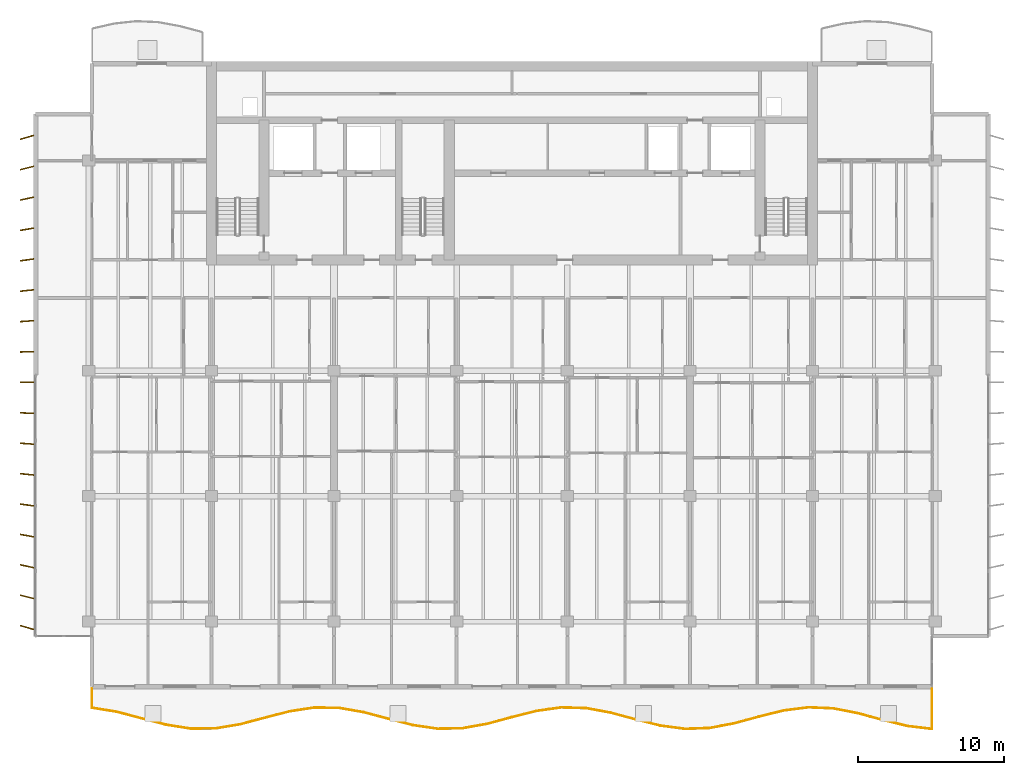
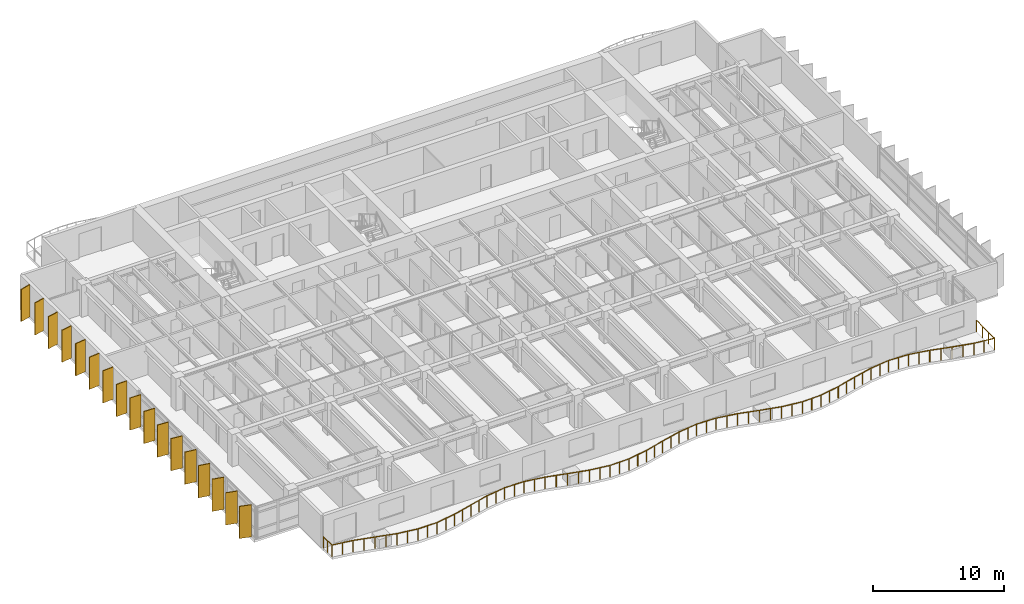
# One storey, part 16 of 19: 17 shading devices, 1 railing.
"""IFC4 building model written with IfcOpenShell, lengths in metres."""

from ifc_helpers import new_model, si_unit, direction, frame, origin, origin_2d, place, context, subcontext, project, spatial, rectangle, circle, extrude, material, material_profile, profile_set, type_object, element, save


model = new_model("IFC4")

# Units and contexts
model_context = context("Model", 3, precision=1e-05, world=origin(), true_north=direction((0.0, 1.0)))
body_context = subcontext(model_context, "Body", "Model", "MODEL_VIEW")
ifc_project = project(units=[si_unit("LENGTHUNIT", "METRE"), si_unit("AREAUNIT", "SQUARE_METRE"), si_unit("VOLUMEUNIT", "CUBIC_METRE"), si_unit("PLANEANGLEUNIT", "RADIAN"), si_unit("MASSUNIT", "GRAM", prefix="KILO")], contexts=[model_context])

# Site, building, storey
site_placement = place(None, origin())
site = spatial("IfcSite", under=ifc_project, at=site_placement, CompositionType="ELEMENT")
building_placement = place(site_placement, origin())
building = spatial("IfcBuilding", under=site, at=building_placement, Name="Caelmar Bay Residences", CompositionType="ELEMENT")
storey_placement = place(building_placement, frame((0.0, 0.0, 218.10009765625)))
storey = spatial("IfcBuildingStorey", under=building, at=storey_placement, Name="L61", CompositionType="ELEMENT", Elevation=218.10009765625)

# Railing
ifc_material_1 = material(Name="Anodised bronze handrail with laminated hurricane glass infill", Category="glass")
railing_type = type_object("IfcRailingType", Name="RL-BAL-1100", PredefinedType="BALUSTRADE", material=ifc_material_1)
railing_placement = place(storey_placement, frame((10.10009765625, 7.60009765625, 0.0)))
element("IfcRailing", 1, at=railing_placement, inside=storey, type_object=railing_type, Name="L61 south Balcony Balustrade", PredefinedType="BALUSTRADE", context=body_context, shape_type="SweptSolid", body=[
    extrude(circle(Radius=0.02392578125, at=origin_2d()), frame((0.0, 0.0, 1.076171875), z_axis=(0.0, -1.0, 0.0), x_axis=(1.0, 0.0, 0.0)), (0.0, 0.0, 1.0), 1.306884765625),
    extrude(circle(Radius=0.02392578125, at=origin_2d()), frame((0.0, -1.306884765625, 1.076171875), z_axis=(0.987020906069, -0.160591814808, 0.0), x_axis=(0.160591814808, 0.987020906069, 0.0)), (0.0, 0.0, 1.0), 1.71630859375),
    extrude(circle(Radius=0.02392578125, at=origin_2d()), frame((1.694091796875, -1.58251953125, 1.076171875), z_axis=(0.967110634576, -0.254356089941, 0.0), x_axis=(0.254356089941, 0.967110634576, 0.0)), (0.0, 0.0, 1.0), 1.751708984375),
    extrude(circle(Radius=0.02392578125, at=origin_2d()), frame((3.38818359375, -2.028076171875, 1.076171875), z_axis=(0.967555051549, -0.252660290158, 0.0), x_axis=(0.252660290158, 0.967555051549, 0.0)), (0.0, 0.0, 1.0), 1.7509765625),
    extrude(circle(Radius=0.02392578125, at=origin_2d()), frame((5.082275390625, -2.470458984375, 1.076171875), z_axis=(0.987754884776, -0.156013741708, 0.0), x_axis=(0.156013741708, 0.987754884776, 0.0)), (0.0, 0.0, 1.0), 1.715087890625),
    extrude(circle(Radius=0.02392578125, at=origin_2d()), frame((6.7763671875, -2.738037109375, 1.076171875), z_axis=(0.999978972504, 0.006484947941, 0.0), x_axis=(-0.006484947941, 0.999978972504, 0.0)), (0.0, 0.0, 1.0), 1.694091796875),
    extrude(circle(Radius=0.02392578125, at=origin_2d()), frame((8.470458984375, -2.72705078125, 1.076171875), z_axis=(0.986081058418, 0.166265288709, 0.0), x_axis=(-0.166265288709, 0.986081058418, 0.0)), (0.0, 0.0, 1.0), 1.718017578125),
    extrude(circle(Radius=0.02392578125, at=origin_2d()), frame((10.16455078125, -2.44140625, 1.076171875), z_axis=(0.966629170597, 0.256179715338, 0.0), x_axis=(-0.256179715338, 0.966629170597, 0.0)), (0.0, 0.0, 1.0), 1.752685546875),
    extrude(circle(Radius=0.02392578125, at=origin_2d()), frame((11.858642578125, -1.992431640625, 1.076171875), z_axis=(0.968098496514, 0.250569952405, 0.0), x_axis=(-0.250569952405, 0.968098496514, 0.0)), (0.0, 0.0, 1.0), 1.75),
    extrude(circle(Radius=0.02392578125, at=origin_2d()), frame((13.552734375, -1.553955078125, 1.076171875), z_axis=(0.988663012748, 0.150151414328, 0.0), x_axis=(-0.150151414328, 0.988663012748, 0.0)), (0.0, 0.0, 1.0), 1.7138671875),
    extrude(circle(Radius=0.02392578125, at=origin_2d()), frame((15.2470703125, -1.296630859375, 1.076171875), z_axis=(0.999904312247, -0.013833522694, 0.0), x_axis=(0.013833522694, 0.999904312247, 0.0)), (0.0, 0.0, 1.0), 1.6943359375),
    extrude(circle(Radius=0.02392578125, at=origin_2d()), frame((16.941162109375, -1.320068359375, 1.076171875), z_axis=(0.985158564818, -0.171646736542, 0.0), x_axis=(0.171646736542, 0.985158564818, 0.0)), (0.0, 0.0, 1.0), 1.7197265625),
    extrude(circle(Radius=0.02392578125, at=origin_2d()), frame((18.63525390625, -1.615234375, 1.076171875), z_axis=(0.966144753917, -0.258000609455, 0.0), x_axis=(0.258000609455, 0.966144753917, 0.0)), (0.0, 0.0, 1.0), 1.75341796875),
    extrude(circle(Radius=0.02392578125, at=origin_2d()), frame((20.329345703125, -2.067626953125, 1.076171875), z_axis=(0.968738750291, -0.248083118499, 0.0), x_axis=(0.248083118499, 0.968738750291, 0.0)), (0.0, 0.0, 1.0), 1.748779296875),
    extrude(circle(Radius=0.02392578125, at=origin_2d()), frame((22.0234375, -2.50146484375, 1.076171875), z_axis=(0.989531708313, -0.144315620235, 0.0), x_axis=(0.144315620235, 0.989531708313, 0.0)), (0.0, 0.0, 1.0), 1.7119140625),
    extrude(circle(Radius=0.02392578125, at=origin_2d()), frame((23.717529296875, -2.74853515625, 1.076171875), z_axis=(0.999778722237, 0.021035839955, 0.0), x_axis=(-0.021035839955, 0.999778722237, 0.0)), (0.0, 0.0, 1.0), 1.694580078125),
    extrude(circle(Radius=0.02392578125, at=origin_2d()), frame((25.41162109375, -2.712890625, 1.076171875), z_axis=(0.984208538053, 0.177012862875, 0.0), x_axis=(-0.177012862875, 0.984208538053, 0.0)), (0.0, 0.0, 1.0), 1.72119140625),
    extrude(circle(Radius=0.02392578125, at=origin_2d()), frame((27.105712890625, -2.408203125, 1.076171875), z_axis=(0.965727200688, 0.259559191423, 0.0), x_axis=(-0.259559191423, 0.965727200688, 0.0)), (0.0, 0.0, 1.0), 1.754150390625),
    extrude(circle(Radius=0.02392578125, at=origin_2d()), frame((28.7998046875, -1.952880859375, 1.076171875), z_axis=(0.969373446512, 0.245591370366, 0.0), x_axis=(-0.245591370366, 0.969373446512, 0.0)), (0.0, 0.0, 1.0), 1.74755859375),
    extrude(circle(Radius=0.02392578125, at=origin_2d()), frame((30.493896484375, -1.523681640625, 1.076171875), z_axis=(0.990389897414, 0.13830347465, 0.0), x_axis=(-0.13830347465, 0.990389897414, 0.0)), (0.0, 0.0, 1.0), 1.71044921875),
    extrude(circle(Radius=0.02392578125, at=origin_2d()), frame((32.18798828125, -1.287109375, 1.076171875), z_axis=(0.999597356071, -0.028374737629, 0.0), x_axis=(0.028374737629, 0.999597356071, 0.0)), (0.0, 0.0, 1.0), 1.695068359375),
    extrude(circle(Radius=0.02392578125, at=origin_2d()), frame((33.88232421875, -1.335205078125, 1.076171875), z_axis=(0.983256624742, -0.182226260184, 0.0), x_axis=(0.182226260184, 0.983256624742, 0.0)), (0.0, 0.0, 1.0), 1.722900390625),
    extrude(circle(Radius=0.02392578125, at=origin_2d()), frame((35.576416015625, -1.649169921875, 1.076171875), z_axis=(0.965377597531, -0.2608564628, 0.0), x_axis=(0.2608564628, 0.965377597531, 0.0)), (0.0, 0.0, 1.0), 1.7548828125),
    extrude(circle(Radius=0.02392578125, at=origin_2d()), frame((37.2705078125, -2.10693359375, 1.076171875), z_axis=(0.970035504069, -0.24296320883, 0.0), x_axis=(0.24296320883, 0.970035504069, 0.0)), (0.0, 0.0, 1.0), 1.746337890625),
    extrude(circle(Radius=0.02392578125, at=origin_2d()), frame((38.964599609375, -2.53125, 1.076171875), z_axis=(0.991231643063, -0.132135649205, 0.0), x_axis=(0.132135649205, 0.991231643063, 0.0)), (0.0, 0.0, 1.0), 1.708984375),
    extrude(circle(Radius=0.02392578125, at=origin_2d()), frame((40.65869140625, -2.757080078125, 1.076171875), z_axis=(0.999367067109, 0.035573377371, 0.0), x_axis=(-0.035573377371, 0.999367067109, 0.0)), (0.0, 0.0, 1.0), 1.695068359375),
    extrude(circle(Radius=0.02392578125, at=origin_2d()), frame((42.352783203125, -2.69677734375, 1.076171875), z_axis=(0.982310060551, 0.187261701745, 0.0), x_axis=(-0.187261701745, 0.982310060551, 0.0)), (0.0, 0.0, 1.0), 1.724853515625),
    extrude(circle(Radius=0.02392578125, at=origin_2d()), frame((44.047119140625, -2.373779296875, 1.076171875), z_axis=(0.965026507292, 0.26215232256, 0.0), x_axis=(-0.26215232256, 0.965026507292, 0.0)), (0.0, 0.0, 1.0), 1.75537109375),
    extrude(circle(Radius=0.02392578125, at=origin_2d()), frame((45.7412109375, -1.91357421875, 1.076171875), z_axis=(0.970756558681, 0.240066040452, 0.0), x_axis=(-0.240066040452, 0.970756558681, 0.0)), (0.0, 0.0, 1.0), 1.7451171875),
    extrude(circle(Radius=0.02392578125, at=origin_2d()), frame((47.435302734375, -1.49462890625, 1.076171875), z_axis=(0.992054135107, 0.125811736402, 0.0), x_axis=(-0.125811736402, 0.992054135107, 0.0)), (0.0, 0.0, 1.0), 1.707763671875),
    extrude(circle(Radius=0.02392578125, at=origin_2d()), frame((49.12939453125, -1.27978515625, 1.076171875), z_axis=(0.999085270013, -0.042762404553, 0.0), x_axis=(0.042762404553, 0.999085270013, 0.0)), (0.0, 0.0, 1.0), 1.695556640625),
    extrude(circle(Radius=0.02392578125, at=origin_2d()), frame((50.823486328125, -1.352294921875, 1.076171875), z_axis=(0.981356137979, -0.192198154131, 0.0), x_axis=(0.192198154131, 0.981356137979, 0.0)), (0.0, 0.0, 1.0), 1.726318359375),
    extrude(circle(Radius=0.02392578125, at=origin_2d()), frame((52.517578125, -1.68408203125, 1.076171875), z_axis=(0.964744568041, -0.263187990676, 0.0), x_axis=(0.263187990676, 0.964744568041, 0.0)), (0.0, 0.0, 1.0), 1.756103515625),
    extrude(circle(Radius=0.02392578125, at=origin_2d()), frame((54.211669921875, -2.146240234375, 1.076171875), z_axis=(0.971502255438, -0.23703030962, 0.0), x_axis=(0.23703030962, 0.971502255438, 0.0)), (0.0, 0.0, 1.0), 1.743896484375),
    extrude(circle(Radius=0.02392578125, at=origin_2d()), frame((55.90576171875, -2.5595703125, 1.076171875), z_axis=(0.992854478381, -0.119331407259, 0.0), x_axis=(0.119331407259, 0.992854478381, 0.0)), (0.0, 0.0, 1.0), 1.706298828125),
    extrude(circle(Radius=0.02392578125, at=origin_2d()), frame((57.599853515625, -2.76318359375, 1.076171875), z_axis=(0.0, 1.0, 0.0), x_axis=(-1.0, 0.0, 0.0)), (0.0, 0.0, 1.0), 2.76318359375),
    extrude(circle(Radius=0.02099609375, at=origin_2d()), origin(), (0.0, 0.0, 1.0), 1.052001953125),
    extrude(circle(Radius=0.02099609375, at=origin_2d()), frame((0.0, -0.6533203125, 0.0)), (0.0, 0.0, 1.0), 1.052001953125),
    extrude(circle(Radius=0.02099609375, at=origin_2d()), frame((0.0, -1.306884765625, 0.0)), (0.0, 0.0, 1.0), 1.052001953125),
    extrude(circle(Radius=0.02099609375, at=origin_2d()), frame((0.84716796875, -1.44482421875, 0.0)), (0.0, 0.0, 1.0), 1.052001953125),
    extrude(circle(Radius=0.02099609375, at=origin_2d()), frame((1.694091796875, -1.58251953125, 0.0)), (0.0, 0.0, 1.0), 1.052001953125),
    extrude(circle(Radius=0.02099609375, at=origin_2d()), frame((2.541015625, -1.80517578125, 0.0)), (0.0, 0.0, 1.0), 1.052001953125),
    extrude(circle(Radius=0.02099609375, at=origin_2d()), frame((3.38818359375, -2.028076171875, 0.0)), (0.0, 0.0, 1.0), 1.052001953125),
    extrude(circle(Radius=0.02099609375, at=origin_2d()), frame((4.2353515625, -2.249267578125, 0.0)), (0.0, 0.0, 1.0), 1.052001953125),
    extrude(circle(Radius=0.02099609375, at=origin_2d()), frame((5.082275390625, -2.470458984375, 0.0)), (0.0, 0.0, 1.0), 1.052001953125),
    extrude(circle(Radius=0.02099609375, at=origin_2d()), frame((5.92919921875, -2.604248046875, 0.0)), (0.0, 0.0, 1.0), 1.052001953125),
    extrude(circle(Radius=0.02099609375, at=origin_2d()), frame((6.7763671875, -2.738037109375, 0.0)), (0.0, 0.0, 1.0), 1.052001953125),
    extrude(circle(Radius=0.02099609375, at=origin_2d()), frame((7.62353515625, -2.732421875, 0.0)), (0.0, 0.0, 1.0), 1.052001953125),
    extrude(circle(Radius=0.02099609375, at=origin_2d()), frame((8.470458984375, -2.72705078125, 0.0)), (0.0, 0.0, 1.0), 1.052001953125),
    extrude(circle(Radius=0.02099609375, at=origin_2d()), frame((9.3173828125, -2.584228515625, 0.0)), (0.0, 0.0, 1.0), 1.052001953125),
    extrude(circle(Radius=0.02099609375, at=origin_2d()), frame((10.16455078125, -2.44140625, 0.0)), (0.0, 0.0, 1.0), 1.052001953125),
    extrude(circle(Radius=0.02099609375, at=origin_2d()), frame((11.01171875, -2.216796875, 0.0)), (0.0, 0.0, 1.0), 1.052001953125),
    extrude(circle(Radius=0.02099609375, at=origin_2d()), frame((11.858642578125, -1.992431640625, 0.0)), (0.0, 0.0, 1.0), 1.052001953125),
    extrude(circle(Radius=0.02099609375, at=origin_2d()), frame((12.70556640625, -1.773193359375, 0.0)), (0.0, 0.0, 1.0), 1.052001953125),
    extrude(circle(Radius=0.02099609375, at=origin_2d()), frame((13.552734375, -1.553955078125, 0.0)), (0.0, 0.0, 1.0), 1.052001953125),
    extrude(circle(Radius=0.02099609375, at=origin_2d()), frame((14.39990234375, -1.42529296875, 0.0)), (0.0, 0.0, 1.0), 1.052001953125),
    extrude(circle(Radius=0.02099609375, at=origin_2d()), frame((15.2470703125, -1.296630859375, 0.0)), (0.0, 0.0, 1.0), 1.052001953125),
    extrude(circle(Radius=0.02099609375, at=origin_2d()), frame((16.09423828125, -1.308349609375, 0.0)), (0.0, 0.0, 1.0), 1.052001953125),
    extrude(circle(Radius=0.02099609375, at=origin_2d()), frame((16.941162109375, -1.320068359375, 0.0)), (0.0, 0.0, 1.0), 1.052001953125),
    extrude(circle(Radius=0.02099609375, at=origin_2d()), frame((17.7880859375, -1.4677734375, 0.0)), (0.0, 0.0, 1.0), 1.052001953125),
    extrude(circle(Radius=0.02099609375, at=origin_2d()), frame((18.63525390625, -1.615234375, 0.0)), (0.0, 0.0, 1.0), 1.052001953125),
    extrude(circle(Radius=0.02099609375, at=origin_2d()), frame((19.482421875, -1.84130859375, 0.0)), (0.0, 0.0, 1.0), 1.052001953125),
    extrude(circle(Radius=0.02099609375, at=origin_2d()), frame((20.329345703125, -2.067626953125, 0.0)), (0.0, 0.0, 1.0), 1.052001953125),
    extrude(circle(Radius=0.02099609375, at=origin_2d()), frame((21.17626953125, -2.28466796875, 0.0)), (0.0, 0.0, 1.0), 1.052001953125),
    extrude(circle(Radius=0.02099609375, at=origin_2d()), frame((22.0234375, -2.50146484375, 0.0)), (0.0, 0.0, 1.0), 1.052001953125),
    extrude(circle(Radius=0.02099609375, at=origin_2d()), frame((22.87060546875, -2.625, 0.0)), (0.0, 0.0, 1.0), 1.052001953125),
    extrude(circle(Radius=0.02099609375, at=origin_2d()), frame((23.717529296875, -2.74853515625, 0.0)), (0.0, 0.0, 1.0), 1.052001953125),
    extrude(circle(Radius=0.02099609375, at=origin_2d()), frame((24.564453125, -2.730712890625, 0.0)), (0.0, 0.0, 1.0), 1.052001953125),
    extrude(circle(Radius=0.02099609375, at=origin_2d()), frame((25.41162109375, -2.712890625, 0.0)), (0.0, 0.0, 1.0), 1.052001953125),
    extrude(circle(Radius=0.02099609375, at=origin_2d()), frame((26.2587890625, -2.560546875, 0.0)), (0.0, 0.0, 1.0), 1.052001953125),
    extrude(circle(Radius=0.02099609375, at=origin_2d()), frame((27.105712890625, -2.408203125, 0.0)), (0.0, 0.0, 1.0), 1.052001953125),
    extrude(circle(Radius=0.02099609375, at=origin_2d()), frame((27.95263671875, -2.1806640625, 0.0)), (0.0, 0.0, 1.0), 1.052001953125),
    extrude(circle(Radius=0.02099609375, at=origin_2d()), frame((28.7998046875, -1.952880859375, 0.0)), (0.0, 0.0, 1.0), 1.052001953125),
    extrude(circle(Radius=0.02099609375, at=origin_2d()), frame((29.64697265625, -1.73828125, 0.0)), (0.0, 0.0, 1.0), 1.052001953125),
    extrude(circle(Radius=0.02099609375, at=origin_2d()), frame((30.493896484375, -1.523681640625, 0.0)), (0.0, 0.0, 1.0), 1.052001953125),
    extrude(circle(Radius=0.02099609375, at=origin_2d()), frame((31.3408203125, -1.4052734375, 0.0)), (0.0, 0.0, 1.0), 1.052001953125),
    extrude(circle(Radius=0.02099609375, at=origin_2d()), frame((32.18798828125, -1.287109375, 0.0)), (0.0, 0.0, 1.0), 1.052001953125),
    extrude(circle(Radius=0.02099609375, at=origin_2d()), frame((33.03515625, -1.31103515625, 0.0)), (0.0, 0.0, 1.0), 1.052001953125),
    extrude(circle(Radius=0.02099609375, at=origin_2d()), frame((33.88232421875, -1.335205078125, 0.0)), (0.0, 0.0, 1.0), 1.052001953125),
    extrude(circle(Radius=0.02099609375, at=origin_2d()), frame((34.7294921875, -1.4921875, 0.0)), (0.0, 0.0, 1.0), 1.052001953125),
    extrude(circle(Radius=0.02099609375, at=origin_2d()), frame((35.576416015625, -1.649169921875, 0.0)), (0.0, 0.0, 1.0), 1.052001953125),
    extrude(circle(Radius=0.02099609375, at=origin_2d()), frame((36.42333984375, -1.8779296875, 0.0)), (0.0, 0.0, 1.0), 1.052001953125),
    extrude(circle(Radius=0.02099609375, at=origin_2d()), frame((37.2705078125, -2.10693359375, 0.0)), (0.0, 0.0, 1.0), 1.052001953125),
    extrude(circle(Radius=0.02099609375, at=origin_2d()), frame((38.11767578125, -2.319091796875, 0.0)), (0.0, 0.0, 1.0), 1.052001953125),
    extrude(circle(Radius=0.02099609375, at=origin_2d()), frame((38.964599609375, -2.53125, 0.0)), (0.0, 0.0, 1.0), 1.052001953125),
    extrude(circle(Radius=0.02099609375, at=origin_2d()), frame((39.8115234375, -2.64404296875, 0.0)), (0.0, 0.0, 1.0), 1.052001953125),
    extrude(circle(Radius=0.02099609375, at=origin_2d()), frame((40.65869140625, -2.757080078125, 0.0)), (0.0, 0.0, 1.0), 1.052001953125),
    extrude(circle(Radius=0.02099609375, at=origin_2d()), frame((41.505859375, -2.72705078125, 0.0)), (0.0, 0.0, 1.0), 1.052001953125),
    extrude(circle(Radius=0.02099609375, at=origin_2d()), frame((42.352783203125, -2.69677734375, 0.0)), (0.0, 0.0, 1.0), 1.052001953125),
    extrude(circle(Radius=0.02099609375, at=origin_2d()), frame((43.199951171875, -2.53515625, 0.0)), (0.0, 0.0, 1.0), 1.052001953125),
    extrude(circle(Radius=0.02099609375, at=origin_2d()), frame((44.047119140625, -2.373779296875, 0.0)), (0.0, 0.0, 1.0), 1.052001953125),
    extrude(circle(Radius=0.02099609375, at=origin_2d()), frame((44.89404296875, -2.1435546875, 0.0)), (0.0, 0.0, 1.0), 1.052001953125),
    extrude(circle(Radius=0.02099609375, at=origin_2d()), frame((45.7412109375, -1.91357421875, 0.0)), (0.0, 0.0, 1.0), 1.052001953125),
    extrude(circle(Radius=0.02099609375, at=origin_2d()), frame((46.58837890625, -1.7041015625, 0.0)), (0.0, 0.0, 1.0), 1.052001953125),
    extrude(circle(Radius=0.02099609375, at=origin_2d()), frame((47.435302734375, -1.49462890625, 0.0)), (0.0, 0.0, 1.0), 1.052001953125),
    extrude(circle(Radius=0.02099609375, at=origin_2d()), frame((48.2822265625, -1.38720703125, 0.0)), (0.0, 0.0, 1.0), 1.052001953125),
    extrude(circle(Radius=0.02099609375, at=origin_2d()), frame((49.12939453125, -1.27978515625, 0.0)), (0.0, 0.0, 1.0), 1.052001953125),
    extrude(circle(Radius=0.02099609375, at=origin_2d()), frame((49.9765625, -1.31591796875, 0.0)), (0.0, 0.0, 1.0), 1.052001953125),
    extrude(circle(Radius=0.02099609375, at=origin_2d()), frame((50.823486328125, -1.352294921875, 0.0)), (0.0, 0.0, 1.0), 1.052001953125),
    extrude(circle(Radius=0.02099609375, at=origin_2d()), frame((51.67041015625, -1.51806640625, 0.0)), (0.0, 0.0, 1.0), 1.052001953125),
    extrude(circle(Radius=0.02099609375, at=origin_2d()), frame((52.517578125, -1.68408203125, 0.0)), (0.0, 0.0, 1.0), 1.052001953125),
    extrude(circle(Radius=0.02099609375, at=origin_2d()), frame((53.36474609375, -1.9150390625, 0.0)), (0.0, 0.0, 1.0), 1.052001953125),
    extrude(circle(Radius=0.02099609375, at=origin_2d()), frame((54.211669921875, -2.146240234375, 0.0)), (0.0, 0.0, 1.0), 1.052001953125),
    extrude(circle(Radius=0.02099609375, at=origin_2d()), frame((55.05859375, -2.35302734375, 0.0)), (0.0, 0.0, 1.0), 1.052001953125),
    extrude(circle(Radius=0.02099609375, at=origin_2d()), frame((55.90576171875, -2.5595703125, 0.0)), (0.0, 0.0, 1.0), 1.052001953125),
    extrude(circle(Radius=0.02099609375, at=origin_2d()), frame((56.7529296875, -2.661376953125, 0.0)), (0.0, 0.0, 1.0), 1.052001953125),
    extrude(circle(Radius=0.02099609375, at=origin_2d()), frame((57.599853515625, -2.76318359375, 0.0)), (0.0, 0.0, 1.0), 1.052001953125),
    extrude(circle(Radius=0.02099609375, at=origin_2d()), frame((57.599853515625, -1.842041015625, 0.0)), (0.0, 0.0, 1.0), 1.052001953125),
    extrude(circle(Radius=0.02099609375, at=origin_2d()), frame((57.599853515625, -0.921142578125, 0.0)), (0.0, 0.0, 1.0), 1.052001953125),
    extrude(circle(Radius=0.02099609375, at=origin_2d()), frame((57.599853515625, 0.0, 0.0)), (0.0, 0.0, 1.0), 1.052001953125),
])

# Shading devices
ifc_material_2 = material(Name="Anodised architectural bronze aluminium 6063-T6", Category="aluminium")
ifc_material_profile = material_profile(ifc_material_2, rectangle(XDim=0.074951171875, YDim=0.949951171875, at=origin_2d()), Name="BRONZE-FIN-75X950")
ifc_profile_set = profile_set([ifc_material_profile], Name="Anodised architectural bronze aluminium 6063-T6")
shading_device_type = type_object("IfcShadingDeviceType", Name="SHD-FIN-950", PredefinedType="USERDEFINED", material=ifc_profile_set)
for number, where, z_axis, x_axis, name in (
    (2, (5.64990234375, 11.800048828125, 0.0), (0.0, 0.0, 1.0), (0.275637355817, 0.961261695938, 0.0), "L61 West Bronze Solar Fin 1"),
    (3, (5.64990234375, 13.89990234375, 0.0), (0.0, 0.0, 1.0), (0.2419218956, 0.970295726276, 0.0), "L61 West Bronze Solar Fin 2"),
    (4, (5.64990234375, 16.0, 0.0), (0.0, 0.0, 1.0), (0.207911690818, 0.978147600734, 0.0), "L61 West Bronze Solar Fin 3"),
    (5, (5.64990234375, 18.10009765625, 0.0), (0.0, 0.0, 1.0), (0.173648177667, 0.984807753012, 0.0), "L61 West Bronze Solar Fin 4"),
    (6, (5.64990234375, 20.199951171875, 0.0), (0.0, 0.0, 1.0), (0.13917310096, 0.990268068742, 0.0), "L61 West Bronze Solar Fin 5"),
    (7, (5.64990234375, 22.300048828125, 0.0), (0.0, 0.0, 1.0), (0.104528463268, 0.994521895368, 0.0), "L61 West Bronze Solar Fin 6"),
    (8, (5.64990234375, 24.39990234375, 0.0), (0.0, 0.0, 1.0), (0.069756473744, 0.99756405026, 0.0), "L61 West Bronze Solar Fin 7"),
    (9, (5.64990234375, 26.5, 0.0), (0.0, 0.0, 1.0), (0.034899496703, 0.999390827019, 0.0), "L61 West Bronze Solar Fin 8"),
    (10, (5.64990234375, 28.60009765625, 0.0), (0.0, 0.0, 1.0), (0.0, 1.0, 0.0), "L61 West Bronze Solar Fin 9"),
    (11, (5.64990234375, 30.699951171875, 0.0), (0.0, 0.0, 1.0), (-0.034899496703, 0.999390827019, 0.0), "L61 West Bronze Solar Fin 10"),
    (12, (5.64990234375, 32.800048828125, 0.0), (0.0, 0.0, 1.0), (-0.069756473744, 0.99756405026, 0.0), "L61 West Bronze Solar Fin 11"),
    (13, (5.64990234375, 34.89990234375, 0.0), (0.0, 0.0, 1.0), (-0.104528463268, 0.994521895368, 0.0), "L61 West Bronze Solar Fin 12"),
    (14, (5.64990234375, 37.0, 0.0), (0.0, 0.0, 1.0), (-0.13917310096, 0.990268068742, 0.0), "L61 West Bronze Solar Fin 13"),
    (15, (5.64990234375, 39.10009765625, 0.0), (0.0, 0.0, 1.0), (-0.173648177667, 0.984807753012, 0.0), "L61 West Bronze Solar Fin 14"),
    (16, (5.64990234375, 41.199951171875, 0.0), (0.0, 0.0, 1.0), (-0.207911690818, 0.978147600734, 0.0), "L61 West Bronze Solar Fin 15"),
    (17, (5.64990234375, 43.300048828125, 0.0), (0.0, 0.0, 1.0), (-0.2419218956, 0.970295726276, 0.0), "L61 West Bronze Solar Fin 16"),
    (18, (5.64990234375, 45.39990234375, 0.0), (0.0, 0.0, 1.0), (-0.275637355817, 0.961261695938, 0.0), "L61 West Bronze Solar Fin 17"),
):
    element("IfcShadingDevice", number, at=place(storey_placement, frame(where, z_axis=z_axis, x_axis=x_axis)), inside=storey, type_object=shading_device_type, Name=name, ObjectType="FIN", PredefinedType="USERDEFINED", context=body_context, shape_type="SweptSolid", body=[
        extrude(rectangle(XDim=0.074951171875, YDim=0.949951171875, at=origin_2d()), origin(), (0.0, 0.0, 1.0), 3.0),
    ])

save(model, "model.ifc")
